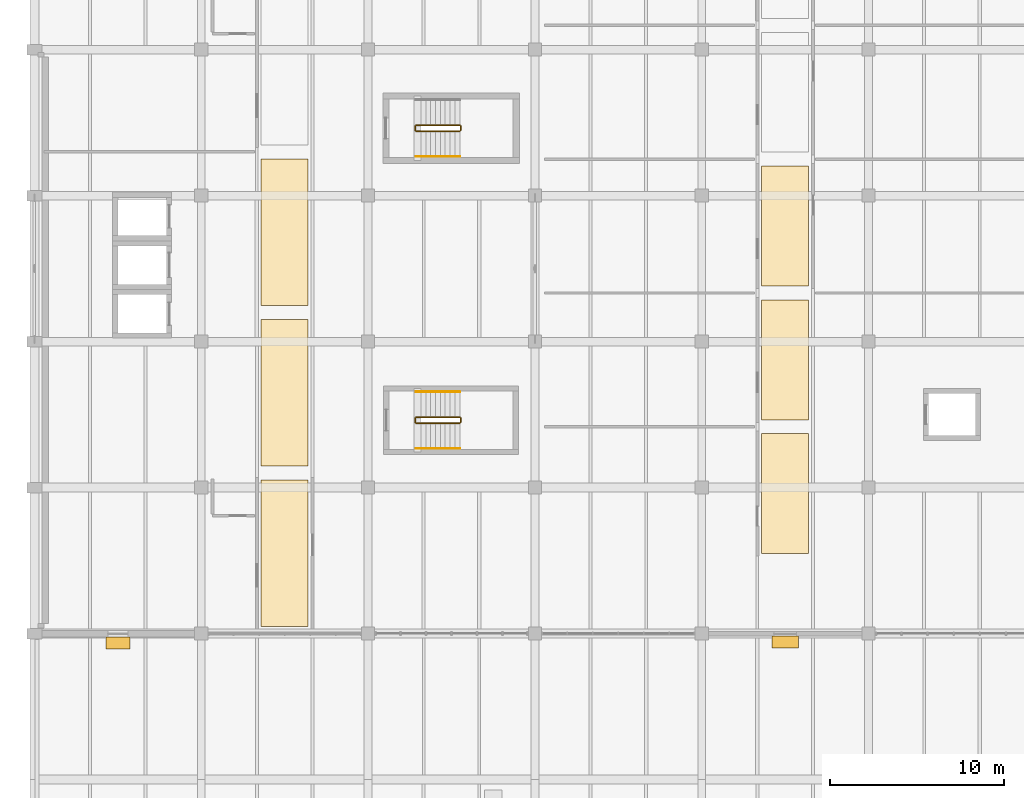
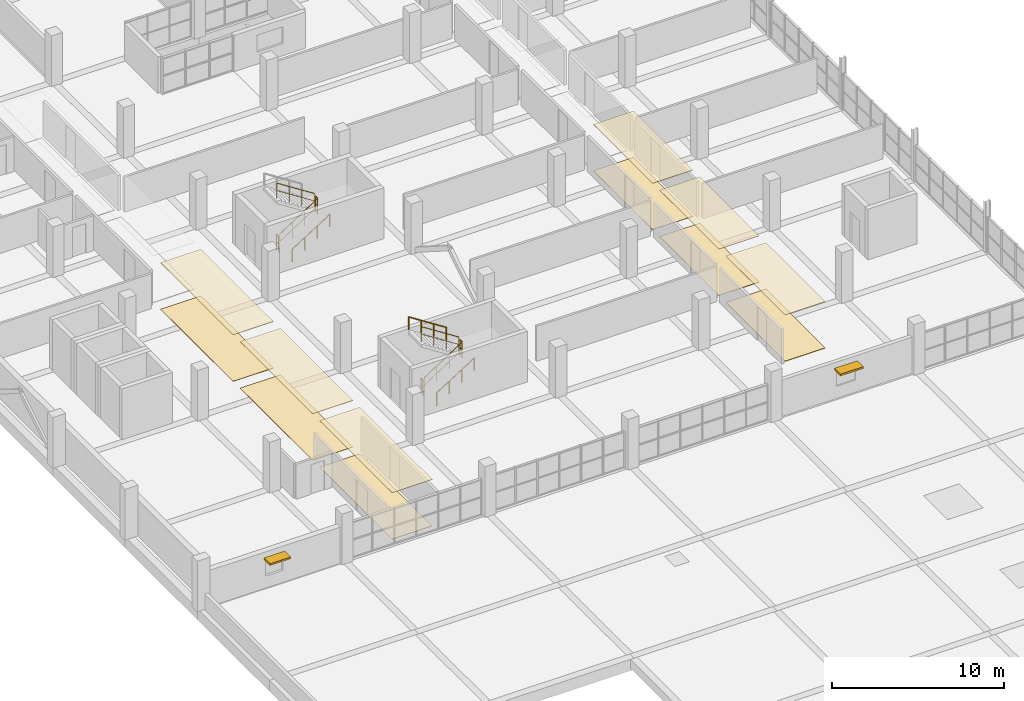
# One storey, part 135 of 147: 12 coverings, 11 railings, 2 shading devices.
"""IFC4 building model written with IfcOpenShell, lengths in metres."""

from ifc_helpers import new_model, si_unit, direction, frame, origin, origin_2d, place, context, subcontext, project, spatial, polyline, rectangle, circle, outline, extrude, material, layer, layer_set, type_object, element, save


model = new_model("IFC4")

# Units and contexts
model_context = context("Model", 3, precision=1e-05, world=origin(), true_north=direction((0.0, 1.0)))
body_context = subcontext(model_context, "Body", "Model", "MODEL_VIEW")
ifc_project = project(units=[si_unit("LENGTHUNIT", "METRE"), si_unit("AREAUNIT", "SQUARE_METRE"), si_unit("VOLUMEUNIT", "CUBIC_METRE"), si_unit("PLANEANGLEUNIT", "RADIAN"), si_unit("MASSUNIT", "GRAM", prefix="KILO")], contexts=[model_context])

# Site, building, storey
site_placement = place(None, origin())
site = spatial("IfcSite", under=ifc_project, at=site_placement, CompositionType="ELEMENT")
building_placement = place(site_placement, origin())
building = spatial("IfcBuilding", under=site, at=building_placement, Name="Oolite Switchyard Hospital", CompositionType="ELEMENT")
storey_placement = place(building_placement, frame((0.0, 0.0, 9.89990234375)))
storey = spatial("IfcBuildingStorey", under=building, at=storey_placement, Name="L02", CompositionType="ELEMENT", Elevation=9.89990234375)

# Coverings
ifc_material_1 = material(Name="Hygienic washable mineral-fibre acoustic ceiling")
ifc_layer_1 = layer(ifc_material_1, 0.0400390625)
ifc_layer_set_1 = layer_set([ifc_layer_1], Name="COV-CEIL-AC60")
covering_type_1 = type_object("IfcCoveringType", Name="COV-CEIL-AC60", PredefinedType="CEILING", material=ifc_layer_set_1)
covering_1_placement = place(storey_placement, frame((0.0, 0.0, 3.27001953125)))
element("IfcCovering", 1, at=covering_1_placement, inside=storey, type_object=covering_type_1, Name="L02 Clinical Laboratory Corridor Ceiling 1", PredefinedType="CEILING", context=body_context, shape_type="SweptSolid", body=[
    extrude(outline(polyline([(41.85009765625, 38.199951171875), (44.550048828125, 38.199951171875), (44.550048828125, 45.10009765625), (41.85009765625, 45.10009765625), (41.85009765625, 38.199951171875)])), origin(), (0.0, 0.0, 1.0), 0.0400390625),
])
covering_2_placement = place(storey_placement, frame((0.0, 0.0, 3.27001953125)))
element("IfcCovering", 2, at=covering_2_placement, inside=storey, type_object=covering_type_1, Name="L02 Clinical Laboratory Corridor Ceiling 2", PredefinedType="CEILING", context=body_context, shape_type="SweptSolid", body=[
    extrude(outline(polyline([(41.85009765625, 45.89990234375), (44.550048828125, 45.89990234375), (44.550048828125, 52.800048828125), (41.85009765625, 52.800048828125), (41.85009765625, 45.89990234375)])), origin(), (0.0, 0.0, 1.0), 0.0400390625),
])
covering_3_placement = place(storey_placement, frame((0.0, 0.0, 3.27001953125)))
element("IfcCovering", 3, at=covering_3_placement, inside=storey, type_object=covering_type_1, Name="L02 Clinical Laboratory Corridor Ceiling 3", PredefinedType="CEILING", context=body_context, shape_type="SweptSolid", body=[
    extrude(outline(polyline([(41.85009765625, 53.60009765625), (44.550048828125, 53.60009765625), (44.550048828125, 60.5), (41.85009765625, 60.5), (41.85009765625, 53.60009765625)])), origin(), (0.0, 0.0, 1.0), 0.0400390625),
])
covering_4_placement = place(storey_placement, frame((0.0, 0.0, 3.28515625)))
element("IfcCovering", 4, at=covering_4_placement, inside=storey, type_object=covering_type_1, Name="L02 West High-Dependency Ward Corridor Ceiling 1", PredefinedType="CEILING", context=body_context, shape_type="SweptSolid", body=[
    extrude(outline(polyline([(13.050048828125, 34.0), (15.75, 34.0), (15.75, 42.43994140625), (13.050048828125, 42.43994140625), (13.050048828125, 34.0)])), origin(), (0.0, 0.0, 1.0), 0.0400390625),
])
covering_5_placement = place(storey_placement, frame((0.0, 0.0, 3.28515625)))
element("IfcCovering", 5, at=covering_5_placement, inside=storey, type_object=covering_type_1, Name="L02 West High-Dependency Ward Corridor Ceiling 2", PredefinedType="CEILING", context=body_context, shape_type="SweptSolid", body=[
    extrude(outline(polyline([(13.050048828125, 43.239990234375), (15.75, 43.239990234375), (15.75, 51.679931640625), (13.050048828125, 51.679931640625), (13.050048828125, 43.239990234375)])), origin(), (0.0, 0.0, 1.0), 0.0400390625),
])
covering_6_placement = place(storey_placement, frame((0.0, 0.0, 3.28515625)))
element("IfcCovering", 6, at=covering_6_placement, inside=storey, type_object=covering_type_1, Name="L02 West High-Dependency Ward Corridor Ceiling 3", PredefinedType="CEILING", context=body_context, shape_type="SweptSolid", body=[
    extrude(outline(polyline([(13.050048828125, 52.47998046875), (15.75, 52.47998046875), (15.75, 60.919921875), (13.050048828125, 60.919921875), (13.050048828125, 52.47998046875)])), origin(), (0.0, 0.0, 1.0), 0.0400390625),
])
ifc_material_2 = material(Name="Epoxy terrazzo seamless clinical flooring")
ifc_layer_2 = layer(ifc_material_2, 0.02001953125)
ifc_layer_set_2 = layer_set([ifc_layer_2], Name="COV-FLR-TER20")
covering_type_2 = type_object("IfcCoveringType", Name="COV-FLR-TER20", PredefinedType="FLOORING", material=ifc_layer_set_2)
covering_7_placement = place(storey_placement, origin())
element("IfcCovering", 7, at=covering_7_placement, inside=storey, type_object=covering_type_2, Name="L02 Clinical Laboratory Corridor Flooring 1", PredefinedType="FLOORING", context=body_context, shape_type="SweptSolid", body=[
    extrude(outline(polyline([(41.85009765625, 38.199951171875), (44.550048828125, 38.199951171875), (44.550048828125, 45.10009765625), (41.85009765625, 45.10009765625), (41.85009765625, 38.199951171875)])), origin(), (0.0, 0.0, 1.0), 0.02001953125),
])
covering_8_placement = place(storey_placement, origin())
element("IfcCovering", 8, at=covering_8_placement, inside=storey, type_object=covering_type_2, Name="L02 Clinical Laboratory Corridor Flooring 2", PredefinedType="FLOORING", context=body_context, shape_type="SweptSolid", body=[
    extrude(outline(polyline([(41.85009765625, 45.89990234375), (44.550048828125, 45.89990234375), (44.550048828125, 52.800048828125), (41.85009765625, 52.800048828125), (41.85009765625, 45.89990234375)])), origin(), (0.0, 0.0, 1.0), 0.02001953125),
])
covering_9_placement = place(storey_placement, origin())
element("IfcCovering", 9, at=covering_9_placement, inside=storey, type_object=covering_type_2, Name="L02 Clinical Laboratory Corridor Flooring 3", PredefinedType="FLOORING", context=body_context, shape_type="SweptSolid", body=[
    extrude(outline(polyline([(41.85009765625, 53.60009765625), (44.550048828125, 53.60009765625), (44.550048828125, 60.5), (41.85009765625, 60.5), (41.85009765625, 53.60009765625)])), origin(), (0.0, 0.0, 1.0), 0.02001953125),
])
covering_10_placement = place(storey_placement, origin())
element("IfcCovering", 10, at=covering_10_placement, inside=storey, type_object=covering_type_2, Name="L02 West High-Dependency Ward Corridor Flooring 1", PredefinedType="FLOORING", context=body_context, shape_type="SweptSolid", body=[
    extrude(outline(polyline([(13.050048828125, 34.0), (15.75, 34.0), (15.75, 42.43994140625), (13.050048828125, 42.43994140625), (13.050048828125, 34.0)])), origin(), (0.0, 0.0, 1.0), 0.02001953125),
])
covering_11_placement = place(storey_placement, origin())
element("IfcCovering", 11, at=covering_11_placement, inside=storey, type_object=covering_type_2, Name="L02 West High-Dependency Ward Corridor Flooring 2", PredefinedType="FLOORING", context=body_context, shape_type="SweptSolid", body=[
    extrude(outline(polyline([(13.050048828125, 43.239990234375), (15.75, 43.239990234375), (15.75, 51.679931640625), (13.050048828125, 51.679931640625), (13.050048828125, 43.239990234375)])), origin(), (0.0, 0.0, 1.0), 0.02001953125),
])
covering_12_placement = place(storey_placement, origin())
element("IfcCovering", 12, at=covering_12_placement, inside=storey, type_object=covering_type_2, Name="L02 West High-Dependency Ward Corridor Flooring 3", PredefinedType="FLOORING", context=body_context, shape_type="SweptSolid", body=[
    extrude(outline(polyline([(13.050048828125, 52.47998046875), (15.75, 52.47998046875), (15.75, 60.919921875), (13.050048828125, 60.919921875), (13.050048828125, 52.47998046875)])), origin(), (0.0, 0.0, 1.0), 0.02001953125),
])

# Railings
ifc_material_3 = material(Name="Galvanized painted architectural steel handrail", Category="steel")
railing_type_1 = type_object("IfcRailingType", Name="RL-STAIR-GRD", PredefinedType="GUARDRAIL", material=ifc_material_3)
railing_1_placement = place(storey_placement, frame((21.9599609375, 45.7099609375, 0.18017578125)))
element("IfcRailing", 13, at=railing_1_placement, inside=storey, type_object=railing_type_1, Name="L02 ST-01 stair guard 1", PredefinedType="GUARDRAIL", context=body_context, shape_type="SweptSolid", body=[
    extrude(circle(Radius=0.02392578125, at=origin_2d()), frame((0.0, 0.0, 1.076171875), z_axis=(0.841199657755, 0.0, 0.540724639528), x_axis=(0.0, 1.0, 0.0)), (0.0, 0.0, 1.0), 2.995849609375),
    extrude(circle(Radius=0.015625, at=origin_2d()), frame((0.0, 0.0, 0.550048828125), z_axis=(0.841199657755, 0.0, 0.540724639528), x_axis=(0.0, 1.0, 0.0)), (0.0, 0.0, 1.0), 2.995849609375),
    extrude(circle(Radius=0.02099609375, at=origin_2d()), origin(), (0.0, 0.0, 1.0), 1.052001953125),
    extrude(circle(Radius=0.02099609375, at=origin_2d()), frame((0.840087890625, 0.0, 0.5400390625)), (0.0, 0.0, 1.0), 1.052001953125),
    extrude(circle(Radius=0.02099609375, at=origin_2d()), frame((1.679931640625, 0.0, 1.079833984375)), (0.0, 0.0, 1.0), 1.052001953125),
    extrude(circle(Radius=0.02099609375, at=origin_2d()), frame((2.52001953125, 0.0, 1.619873046875)), (0.0, 0.0, 1.0), 1.052001953125),
])
railing_2_placement = place(storey_placement, frame((24.530029296875, 45.760009765625, 1.800048828125)))
element("IfcRailing", 14, at=railing_2_placement, inside=storey, type_object=railing_type_1, Name="L02 ST-01 stair guard 2", PredefinedType="GUARDRAIL", context=body_context, shape_type="SweptSolid", body=[
    extrude(circle(Radius=0.02392578125, at=origin_2d()), frame((0.0, 0.0, 1.076171875), z_axis=(0.0, 1.0, 0.0), x_axis=(-1.0, 0.0, 0.0)), (0.0, 0.0, 1.0), 0.239990234375),
    extrude(circle(Radius=0.015625, at=origin_2d()), frame((0.0, 0.0, 0.550048828125), z_axis=(0.0, 1.0, 0.0), x_axis=(-1.0, 0.0, 0.0)), (0.0, 0.0, 1.0), 0.239990234375),
    extrude(circle(Radius=0.02099609375, at=origin_2d()), origin(), (0.0, 0.0, 1.0), 1.052001953125),
    extrude(circle(Radius=0.02099609375, at=origin_2d()), frame((0.0, 0.239990234375, 0.0)), (0.0, 0.0, 1.0), 1.052001953125),
])
railing_3_placement = place(storey_placement, frame((24.47998046875, 46.050048828125, 1.97998046875)))
element("IfcRailing", 15, at=railing_3_placement, inside=storey, type_object=railing_type_1, Name="L02 ST-01 stair guard 3", PredefinedType="GUARDRAIL", context=body_context, shape_type="SweptSolid", body=[
    extrude(circle(Radius=0.02392578125, at=origin_2d()), frame((0.0, 0.0, 1.076171875), z_axis=(-0.841162588446, 0.0, 0.540782303519), x_axis=(0.0, -1.0, 0.0)), (0.0, 0.0, 1.0), 2.995849609375),
    extrude(circle(Radius=0.015625, at=origin_2d()), frame((0.0, 0.0, 0.550048828125), z_axis=(-0.841162588446, 0.0, 0.540782303519), x_axis=(0.0, -1.0, 0.0)), (0.0, 0.0, 1.0), 2.995849609375),
    extrude(circle(Radius=0.02099609375, at=origin_2d()), origin(), (0.0, 0.0, 1.0), 1.052001953125),
    extrude(circle(Radius=0.02099609375, at=origin_2d()), frame((-0.840087890625, 0.0, 0.5400390625)), (0.0, 0.0, 1.0), 1.052001953125),
    extrude(circle(Radius=0.02099609375, at=origin_2d()), frame((-1.679931640625, 0.0, 1.080078125)), (0.0, 0.0, 1.0), 1.052001953125),
    extrude(circle(Radius=0.02099609375, at=origin_2d()), frame((-2.52001953125, 0.0, 1.6201171875)), (0.0, 0.0, 1.0), 1.052001953125),
])
railing_4_placement = place(storey_placement, frame((21.909912109375, 45.760009765625, 0.0)))
element("IfcRailing", 16, at=railing_4_placement, inside=storey, type_object=railing_type_1, Name="L02 ST-01 stair guard 4", PredefinedType="GUARDRAIL", context=body_context, shape_type="SweptSolid", body=[
    extrude(circle(Radius=0.02392578125, at=origin_2d()), frame((0.0, 0.0, 1.076171875), z_axis=(0.0, 1.0, 0.0), x_axis=(-1.0, 0.0, 0.0)), (0.0, 0.0, 1.0), 0.239990234375),
    extrude(circle(Radius=0.015625, at=origin_2d()), frame((0.0, 0.0, 0.550048828125), z_axis=(0.0, 1.0, 0.0), x_axis=(-1.0, 0.0, 0.0)), (0.0, 0.0, 1.0), 0.239990234375),
    extrude(circle(Radius=0.02099609375, at=origin_2d()), origin(), (0.0, 0.0, 1.0), 1.052001953125),
    extrude(circle(Radius=0.02099609375, at=origin_2d()), frame((0.0, 0.239990234375, 0.0)), (0.0, 0.0, 1.0), 1.052001953125),
])
railing_5_placement = place(storey_placement, frame((21.9599609375, 62.510009765625, 0.18017578125)))
element("IfcRailing", 17, at=railing_5_placement, inside=storey, type_object=railing_type_1, Name="L02 ST-02 stair guard 1", PredefinedType="GUARDRAIL", context=body_context, shape_type="SweptSolid", body=[
    extrude(circle(Radius=0.02392578125, at=origin_2d()), frame((0.0, 0.0, 1.076171875), z_axis=(0.841199657755, 0.0, 0.540724639528), x_axis=(0.0, 1.0, 0.0)), (0.0, 0.0, 1.0), 2.995849609375),
    extrude(circle(Radius=0.015625, at=origin_2d()), frame((0.0, 0.0, 0.550048828125), z_axis=(0.841199657755, 0.0, 0.540724639528), x_axis=(0.0, 1.0, 0.0)), (0.0, 0.0, 1.0), 2.995849609375),
    extrude(circle(Radius=0.02099609375, at=origin_2d()), origin(), (0.0, 0.0, 1.0), 1.052001953125),
    extrude(circle(Radius=0.02099609375, at=origin_2d()), frame((0.840087890625, 0.0, 0.5400390625)), (0.0, 0.0, 1.0), 1.052001953125),
    extrude(circle(Radius=0.02099609375, at=origin_2d()), frame((1.679931640625, 0.0, 1.079833984375)), (0.0, 0.0, 1.0), 1.052001953125),
    extrude(circle(Radius=0.02099609375, at=origin_2d()), frame((2.52001953125, 0.0, 1.619873046875)), (0.0, 0.0, 1.0), 1.052001953125),
])
railing_6_placement = place(storey_placement, frame((24.530029296875, 62.56005859375, 1.800048828125)))
element("IfcRailing", 18, at=railing_6_placement, inside=storey, type_object=railing_type_1, Name="L02 ST-02 stair guard 2", PredefinedType="GUARDRAIL", context=body_context, shape_type="SweptSolid", body=[
    extrude(circle(Radius=0.02392578125, at=origin_2d()), frame((0.0, 0.0, 1.076171875), z_axis=(0.0, 1.0, 0.0), x_axis=(-1.0, 0.0, 0.0)), (0.0, 0.0, 1.0), 0.239990234375),
    extrude(circle(Radius=0.015625, at=origin_2d()), frame((0.0, 0.0, 0.550048828125), z_axis=(0.0, 1.0, 0.0), x_axis=(-1.0, 0.0, 0.0)), (0.0, 0.0, 1.0), 0.239990234375),
    extrude(circle(Radius=0.02099609375, at=origin_2d()), origin(), (0.0, 0.0, 1.0), 1.052001953125),
    extrude(circle(Radius=0.02099609375, at=origin_2d()), frame((0.0, 0.239990234375, 0.0)), (0.0, 0.0, 1.0), 1.052001953125),
])
railing_7_placement = place(storey_placement, frame((24.47998046875, 62.85009765625, 1.97998046875)))
element("IfcRailing", 19, at=railing_7_placement, inside=storey, type_object=railing_type_1, Name="L02 ST-02 stair guard 3", PredefinedType="GUARDRAIL", context=body_context, shape_type="SweptSolid", body=[
    extrude(circle(Radius=0.02392578125, at=origin_2d()), frame((0.0, 0.0, 1.076171875), z_axis=(-0.841162588446, 0.0, 0.540782303519), x_axis=(0.0, -1.0, 0.0)), (0.0, 0.0, 1.0), 2.995849609375),
    extrude(circle(Radius=0.015625, at=origin_2d()), frame((0.0, 0.0, 0.550048828125), z_axis=(-0.841162588446, 0.0, 0.540782303519), x_axis=(0.0, -1.0, 0.0)), (0.0, 0.0, 1.0), 2.995849609375),
    extrude(circle(Radius=0.02099609375, at=origin_2d()), origin(), (0.0, 0.0, 1.0), 1.052001953125),
    extrude(circle(Radius=0.02099609375, at=origin_2d()), frame((-0.840087890625, 0.0, 0.5400390625)), (0.0, 0.0, 1.0), 1.052001953125),
    extrude(circle(Radius=0.02099609375, at=origin_2d()), frame((-1.679931640625, 0.0, 1.080078125)), (0.0, 0.0, 1.0), 1.052001953125),
    extrude(circle(Radius=0.02099609375, at=origin_2d()), frame((-2.52001953125, 0.0, 1.6201171875)), (0.0, 0.0, 1.0), 1.052001953125),
])
railing_8_placement = place(storey_placement, frame((21.909912109375, 62.56005859375, 0.0)))
element("IfcRailing", 20, at=railing_8_placement, inside=storey, type_object=railing_type_1, Name="L02 ST-02 stair guard 4", PredefinedType="GUARDRAIL", context=body_context, shape_type="SweptSolid", body=[
    extrude(circle(Radius=0.02392578125, at=origin_2d()), frame((0.0, 0.0, 1.076171875), z_axis=(0.0, 1.0, 0.0), x_axis=(-1.0, 0.0, 0.0)), (0.0, 0.0, 1.0), 0.239990234375),
    extrude(circle(Radius=0.015625, at=origin_2d()), frame((0.0, 0.0, 0.550048828125), z_axis=(0.0, 1.0, 0.0), x_axis=(-1.0, 0.0, 0.0)), (0.0, 0.0, 1.0), 0.239990234375),
    extrude(circle(Radius=0.02099609375, at=origin_2d()), origin(), (0.0, 0.0, 1.0), 1.052001953125),
    extrude(circle(Radius=0.02099609375, at=origin_2d()), frame((0.0, 0.239990234375, 0.0)), (0.0, 0.0, 1.0), 1.052001953125),
])
railing_type_2 = type_object("IfcRailingType", Name="RL-STAIR-HND", PredefinedType="HANDRAIL", material=ifc_material_3)
railing_9_placement = place(storey_placement, frame((21.9599609375, 44.25, 0.18017578125)))
element("IfcRailing", 21, at=railing_9_placement, inside=storey, type_object=railing_type_2, Name="L02 ST-01 stair handrail 1", PredefinedType="HANDRAIL", context=body_context, shape_type="SweptSolid", body=[
    extrude(circle(Radius=0.02392578125, at=origin_2d()), frame((0.0, 0.0, 0.8759765625), z_axis=(0.841199657755, 0.0, 0.540724639528), x_axis=(0.0, 1.0, 0.0)), (0.0, 0.0, 1.0), 2.995849609375),
    extrude(circle(Radius=0.02099609375, at=origin_2d()), origin(), (0.0, 0.0, 1.0), 0.851806640625),
    extrude(circle(Radius=0.02099609375, at=origin_2d()), frame((0.840087890625, 0.0, 0.5400390625)), (0.0, 0.0, 1.0), 0.851806640625),
    extrude(circle(Radius=0.02099609375, at=origin_2d()), frame((1.679931640625, 0.0, 1.079833984375)), (0.0, 0.0, 1.0), 0.851806640625),
    extrude(circle(Radius=0.02099609375, at=origin_2d()), frame((2.52001953125, 0.0, 1.619873046875)), (0.0, 0.0, 1.0), 0.851806640625),
])
railing_10_placement = place(storey_placement, frame((24.47998046875, 47.510009765625, 1.97998046875)))
element("IfcRailing", 22, at=railing_10_placement, inside=storey, type_object=railing_type_2, Name="L02 ST-01 stair handrail 2", PredefinedType="HANDRAIL", context=body_context, shape_type="SweptSolid", body=[
    extrude(circle(Radius=0.02392578125, at=origin_2d()), frame((0.0, 0.0, 0.8759765625), z_axis=(-0.841162588446, 0.0, 0.540782303519), x_axis=(0.0, -1.0, 0.0)), (0.0, 0.0, 1.0), 2.995849609375),
    extrude(circle(Radius=0.02099609375, at=origin_2d()), origin(), (0.0, 0.0, 1.0), 0.851806640625),
    extrude(circle(Radius=0.02099609375, at=origin_2d()), frame((-0.840087890625, 0.0, 0.5400390625)), (0.0, 0.0, 1.0), 0.851806640625),
    extrude(circle(Radius=0.02099609375, at=origin_2d()), frame((-1.679931640625, 0.0, 1.080078125)), (0.0, 0.0, 1.0), 0.851806640625),
    extrude(circle(Radius=0.02099609375, at=origin_2d()), frame((-2.52001953125, 0.0, 1.6201171875)), (0.0, 0.0, 1.0), 0.851806640625),
])
railing_11_placement = place(storey_placement, frame((21.9599609375, 61.050048828125, 0.18017578125)))
element("IfcRailing", 23, at=railing_11_placement, inside=storey, type_object=railing_type_2, Name="L02 ST-02 stair handrail 1", PredefinedType="HANDRAIL", context=body_context, shape_type="SweptSolid", body=[
    extrude(circle(Radius=0.02392578125, at=origin_2d()), frame((0.0, 0.0, 0.8759765625), z_axis=(0.841199657755, 0.0, 0.540724639528), x_axis=(0.0, 1.0, 0.0)), (0.0, 0.0, 1.0), 2.995849609375),
    extrude(circle(Radius=0.02099609375, at=origin_2d()), origin(), (0.0, 0.0, 1.0), 0.851806640625),
    extrude(circle(Radius=0.02099609375, at=origin_2d()), frame((0.840087890625, 0.0, 0.5400390625)), (0.0, 0.0, 1.0), 0.851806640625),
    extrude(circle(Radius=0.02099609375, at=origin_2d()), frame((1.679931640625, 0.0, 1.079833984375)), (0.0, 0.0, 1.0), 0.851806640625),
    extrude(circle(Radius=0.02099609375, at=origin_2d()), frame((2.52001953125, 0.0, 1.619873046875)), (0.0, 0.0, 1.0), 0.851806640625),
])

# Shading devices
ifc_material_4 = material(Name="Precast oolitic limestone architectural concrete C40/50", Category="masonry")
ifc_layer_3 = layer(ifc_material_4, 0.1201171875)
ifc_layer_set_3 = layer_set([ifc_layer_3], Name="SHD-BRISE-900")
shading_device_type = type_object("IfcShadingDeviceType", Name="SHD-BRISE-900", PredefinedType="AWNING", material=ifc_layer_set_3)
shading_device_1_placement = place(storey_placement, frame((4.800048828125, 33.06005859375, 2.06005859375), z_axis=(0.0, 0.0, 1.0), x_axis=(1.0, 0.0, 0.0)))
element("IfcShadingDevice", 24, at=shading_device_1_placement, inside=storey, type_object=shading_device_type, Name="L02 Classical Brise-Soleil Sunshade 30", PredefinedType="AWNING", context=body_context, shape_type="SweptSolid", body=[
    extrude(rectangle(XDim=1.389892578125, YDim=0.699951171875, at=origin_2d()), origin(), (0.0, 0.0, 1.0), 0.1201171875),
])
shading_device_2_placement = place(storey_placement, frame((43.199951171875, 33.1201171875, 2.06005859375), z_axis=(0.0, 0.0, 1.0), x_axis=(1.0, 0.0, 0.0)))
element("IfcShadingDevice", 25, at=shading_device_2_placement, inside=storey, type_object=shading_device_type, Name="L02 Classical Brise-Soleil Sunshade 31", PredefinedType="AWNING", context=body_context, shape_type="SweptSolid", body=[
    extrude(rectangle(XDim=1.5400390625, YDim=0.699951171875, at=origin_2d()), origin(), (0.0, 0.0, 1.0), 0.1201171875),
])

save(model, "model.ifc")
